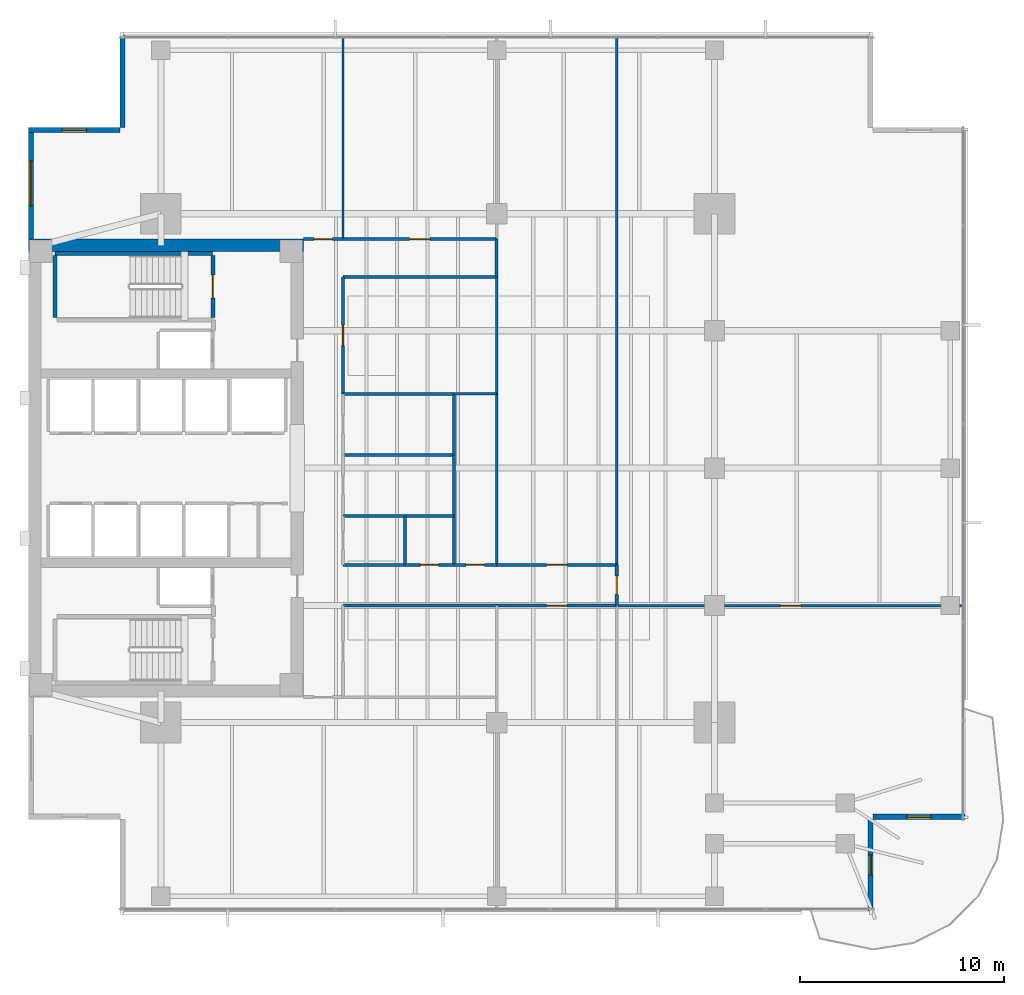
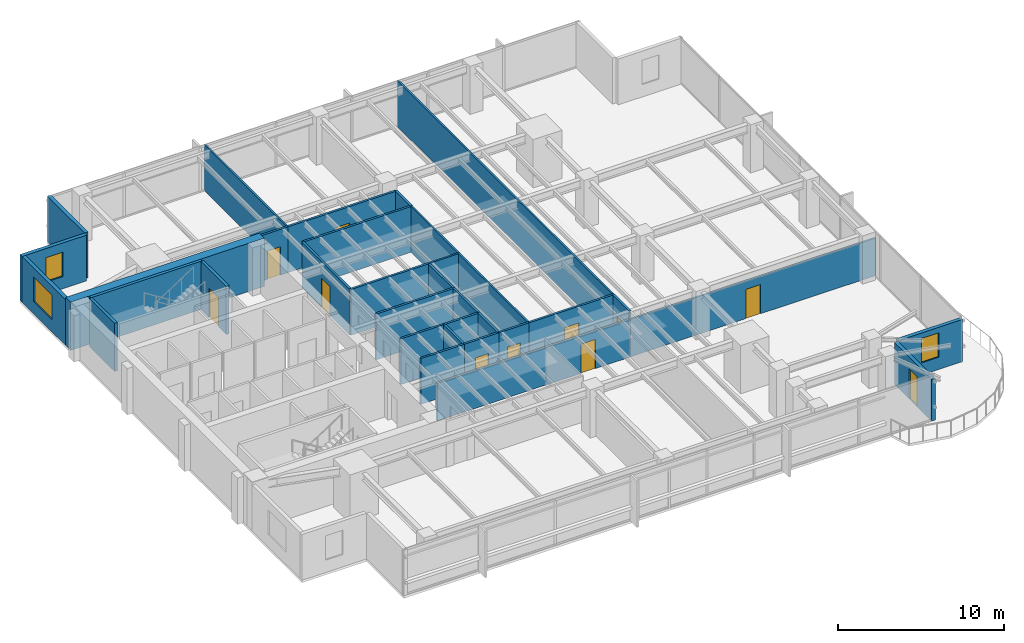
# One storey, part 9 of 14: 35 walls, 11 doors, 3 windows, 14 openings.
"""IFC4 building model written with IfcOpenShell, lengths in metres."""

from ifc_helpers import new_model, si_unit, direction, frame, frame_2d, origin, place, context, subcontext, project, spatial, rectangle, extrude, material, layer, layer_set, type_object, element, fill, save


model = new_model("IFC4")

# Units and contexts
model_context = context("Model", 3, precision=1e-05, world=origin(), true_north=direction((0.0, 1.0)))
body_context = subcontext(model_context, "Body", "Model", "MODEL_VIEW")
ifc_project = project(units=[si_unit("LENGTHUNIT", "METRE"), si_unit("AREAUNIT", "SQUARE_METRE"), si_unit("VOLUMEUNIT", "CUBIC_METRE"), si_unit("PLANEANGLEUNIT", "RADIAN"), si_unit("MASSUNIT", "GRAM", prefix="KILO")], contexts=[model_context])

# Site, building, storey
site_placement = place(None, origin())
site = spatial("IfcSite", under=ifc_project, at=site_placement, CompositionType="ELEMENT")
building_placement = place(site_placement, origin())
building = spatial("IfcBuilding", under=site, at=building_placement, Name="Kinhvarn Gate Tower", CompositionType="ELEMENT")
storey_placement = place(building_placement, frame((0.0, 0.0, 137.75)))
storey = spatial("IfcBuildingStorey", under=building, at=storey_placement, Name="L36", CompositionType="ELEMENT", Elevation=137.75)

# Wall
ifc_material_1 = material(Name="Concrete C60/75", Category="concrete")
ifc_layer_1 = layer(ifc_material_1, 0.60009765625)
ifc_layer_set_1 = layer_set([ifc_layer_1], Name="Concrete C60/75")
wall_type_1 = type_object("IfcWallType", Name="WL-CORE-600", PredefinedType="SHEAR", material=ifc_layer_set_1)
wall_1_placement = place(storey_placement, frame((4.5, 36.199951171875, 0.0), z_axis=(0.0, 0.0, 1.0), x_axis=(1.0, 0.0, 0.0)))
element("IfcWall", 1, at=wall_1_placement, inside=storey, type_object=wall_type_1, Name="Core North Shear Wall L36 600 mm", PredefinedType="SHEAR", context=body_context, shape_type="SweptSolid", body=[
    extrude(rectangle(XDim=13.5, YDim=0.60009765625, at=frame_2d((6.75, 0.0))), origin(), (0.0, 0.0, 1.0), 3.550048828125),
])

# Wall, opening, window
ifc_material_2 = material(Name="Fired architectural terracotta", Category="masonry")
ifc_layer_2 = layer(ifc_material_2, 0.25)
ifc_layer_set_2 = layer_set([ifc_layer_2], Name="Fired architectural terracotta")
wall_type_2 = type_object("IfcWallType", Name="WL-EXT-250", PredefinedType="SOLIDWALL", material=ifc_layer_set_2)
wall_2_placement = place(storey_placement, frame((4.625, 42.0, 0.0), z_axis=(0.0, 0.0, 1.0), x_axis=(0.0, -1.0, 0.0)))
wall_2 = element("IfcWall", 2, at=wall_2_placement, inside=storey, type_object=wall_type_2, Name="Exterior Solidwall Wall EW-250 (L36 West-North)", PredefinedType="SOLIDWALL", context=body_context, shape_type="SweptSolid", body=[
    extrude(rectangle(XDim=5.5, YDim=0.25, at=frame_2d((2.75, 0.0))), origin(), (0.0, 0.0, 1.0), 3.3701171875),
])
opening_1_placement = place(wall_2_placement, frame((1.64990234375, 0.0, 0.89990234375)))
opening_1 = element("IfcOpeningElement", 3, at=opening_1_placement, cuts=wall_2, Name="Opening WN-01", PredefinedType="OPENING", context=body_context, shape_type="SweptSolid", body=[
    extrude(rectangle(XDim=2.199951171875, YDim=1.800048828125, at=frame_2d((1.10009765625, 0.89990234375))), frame((0.0, 0.135009765625, 0.0), z_axis=(0.0, -1.0, 0.0), x_axis=(1.0, 0.0, 0.0)), (0.0, 0.0, 1.0), 0.27001953125),
])
ifc_material_3 = material(Name="Clear low-e double glazing", Category="glass")
window_type_1 = type_object("IfcWindowType", Name="WIN-RIB-2200", PartitioningType="SINGLE_PANEL", PredefinedType="WINDOW", material=ifc_material_3)
window_1_placement = place(opening_1_placement, origin())
window_1 = element("IfcWindow", 4, at=window_1_placement, inside=storey, type_object=window_type_1, Name="West Flank Double-Glazed Ribbon Window 2200x1800 mm (L36)", OverallHeight=1.800048828125, OverallWidth=2.199951171875, PartitioningType="SINGLE_PANEL", PredefinedType="WINDOW", context=body_context, shape_type="SweptSolid", body=[
    extrude(rectangle(XDim=2.199951171875, YDim=1.800048828125, at=frame_2d((1.10009765625, 0.89990234375))), frame((0.0, 0.030029296875, 0.0), z_axis=(0.0, -1.0, 0.0), x_axis=(1.0, 0.0, 0.0)), (0.0, 0.0, 1.0), 0.06005859375),
])
fill(opening_1, window_1)

# Wall, opening, door
wall_3_placement = place(storey_placement, frame((45.875, 3.5, 0.0), z_axis=(0.0, 0.0, 1.0), x_axis=(0.0, 1.0, 0.0)))
wall_3 = element("IfcWall", 5, at=wall_3_placement, inside=storey, type_object=wall_type_2, Name="Exterior Solidwall Wall EW-250 (L36 SE-Notch-Door)", PredefinedType="SOLIDWALL", context=body_context, shape_type="SweptSolid", body=[
    extrude(rectangle(XDim=4.5, YDim=0.25, at=frame_2d((2.25, 0.0))), origin(), (0.0, 0.0, 1.0), 3.070068359375),
])
opening_2_placement = place(wall_3_placement, frame((1.75, 0.0, 0.0)))
opening_2 = element("IfcOpeningElement", 6, at=opening_2_placement, cuts=wall_3, Name="Opening BD-01", PredefinedType="OPENING", context=body_context, shape_type="SweptSolid", body=[
    extrude(rectangle(XDim=1.0, YDim=2.199951171875, at=frame_2d((0.5, 1.10009765625))), frame((0.0, 0.135009765625, 0.0), z_axis=(0.0, -1.0, 0.0), x_axis=(1.0, 0.0, 0.0)), (0.0, 0.0, 1.0), 0.27001953125),
])
door_type_1 = type_object("IfcDoorType", Name="DR-BAL-1000", OperationType="NOTDEFINED", PredefinedType="DOOR", material=ifc_material_3)
door_1_placement = place(opening_2_placement, frame((1.0, 0.0, 0.0), z_axis=(0.0, 0.0, 1.0), x_axis=(-1.0, 0.0, 0.0)))
door_1 = element("IfcDoor", 7, at=door_1_placement, inside=storey, type_object=door_type_1, Name="S-Carve Balcony Door BD-01 (L36)", OperationType="SINGLE_SWING_LEFT", OverallHeight=2.199951171875, OverallWidth=1.0, PredefinedType="DOOR", context=body_context, shape_type="SweptSolid", body=[
    extrude(rectangle(XDim=1.0, YDim=2.199951171875, at=frame_2d((0.5, 1.10009765625))), frame((0.0, 0.02490234375, 0.0), z_axis=(0.0, -1.0, 0.0), x_axis=(1.0, 0.0, 0.0)), (0.0, 0.0, 1.0), 0.050048828125),
])
fill(opening_2, door_1)

# Wall, opening, window
wall_4_placement = place(storey_placement, frame((46.0, 8.125, 0.0), z_axis=(0.0, 0.0, 1.0), x_axis=(1.0, 0.0, 0.0)))
wall_4 = element("IfcWall", 8, at=wall_4_placement, inside=storey, type_object=wall_type_2, Name="Exterior Solidwall Wall EW-250 (L36 SE-Notch-Win)", PredefinedType="SOLIDWALL", context=body_context, shape_type="SweptSolid", body=[
    extrude(rectangle(XDim=4.5, YDim=0.25, at=frame_2d((2.25, 0.0))), origin(), (0.0, 0.0, 1.0), 3.10009765625),
])
opening_3_placement = place(wall_4_placement, frame((1.64990234375, 0.0, 0.89990234375)))
opening_3 = element("IfcOpeningElement", 9, at=opening_3_placement, cuts=wall_4, Name="Opening WN-02", PredefinedType="OPENING", context=body_context, shape_type="SweptSolid", body=[
    extrude(rectangle(XDim=1.199951171875, YDim=1.800048828125, at=frame_2d((0.60009765625, 0.89990234375))), frame((0.0, 0.135009765625, 0.0), z_axis=(0.0, -1.0, 0.0), x_axis=(1.0, 0.0, 0.0)), (0.0, 0.0, 1.0), 0.27001953125),
])
window_type_2 = type_object("IfcWindowType", Name="WIN-NTC-1200", PartitioningType="SINGLE_PANEL", PredefinedType="WINDOW", material=ifc_material_3)
window_2_placement = place(opening_3_placement, origin())
window_2 = element("IfcWindow", 10, at=window_2_placement, inside=storey, type_object=window_type_2, Name="Recessed Corner Notch Punched Window 1200x1800 mm (L36)", OverallHeight=1.800048828125, OverallWidth=1.199951171875, PartitioningType="SINGLE_PANEL", PredefinedType="WINDOW", context=body_context, shape_type="SweptSolid", body=[
    extrude(rectangle(XDim=1.199951171875, YDim=1.800048828125, at=frame_2d((0.60009765625, 0.89990234375))), frame((0.0, 0.030029296875, 0.0), z_axis=(0.0, -1.0, 0.0), x_axis=(1.0, 0.0, 0.0)), (0.0, 0.0, 1.0), 0.06005859375),
])
fill(opening_3, window_2)

# Wall
wall_5_placement = place(storey_placement, frame((9.125, 46.5, 0.0), z_axis=(0.0, 0.0, 1.0), x_axis=(0.0, -1.0, 0.0)))
element("IfcWall", 11, at=wall_5_placement, inside=storey, type_object=wall_type_2, Name="Exterior Solidwall Wall EW-250 (L36 NW-Notch-1)", PredefinedType="SOLIDWALL", context=body_context, shape_type="SweptSolid", body=[
    extrude(rectangle(XDim=4.5, YDim=0.25, at=frame_2d((2.25, 0.0))), origin(), (0.0, 0.0, 1.0), 3.3701171875),
])

# Wall, opening, window
wall_6_placement = place(storey_placement, frame((9.0, 41.875, 0.0), z_axis=(0.0, 0.0, 1.0), x_axis=(-1.0, 0.0, 0.0)))
wall_6 = element("IfcWall", 12, at=wall_6_placement, inside=storey, type_object=wall_type_2, Name="Exterior Solidwall Wall EW-250 (L36 NW-Notch-2)", PredefinedType="SOLIDWALL", context=body_context, shape_type="SweptSolid", body=[
    extrude(rectangle(XDim=4.5, YDim=0.25, at=frame_2d((2.25, 0.0))), origin(), (0.0, 0.0, 1.0), 3.3701171875),
])
opening_4_placement = place(wall_6_placement, frame((1.64990234375, 0.0, 0.89990234375)))
opening_4 = element("IfcOpeningElement", 13, at=opening_4_placement, cuts=wall_6, Name="Opening WN-02", PredefinedType="OPENING", context=body_context, shape_type="SweptSolid", body=[
    extrude(rectangle(XDim=1.199951171875, YDim=1.800048828125, at=frame_2d((0.60009765625, 0.89990234375))), frame((0.0, 0.135009765625, 0.0), z_axis=(0.0, -1.0, 0.0), x_axis=(1.0, 0.0, 0.0)), (0.0, 0.0, 1.0), 0.27001953125),
])
window_3_placement = place(opening_4_placement, origin())
window_3 = element("IfcWindow", 14, at=window_3_placement, inside=storey, type_object=window_type_2, Name="Recessed Corner Notch Punched Window 1200x1800 mm (L36)", OverallHeight=1.800048828125, OverallWidth=1.199951171875, PartitioningType="SINGLE_PANEL", PredefinedType="WINDOW", context=body_context, shape_type="SweptSolid", body=[
    extrude(rectangle(XDim=1.199951171875, YDim=1.800048828125, at=frame_2d((0.60009765625, 0.89990234375))), frame((0.0, 0.030029296875, 0.0), z_axis=(0.0, -1.0, 0.0), x_axis=(1.0, 0.0, 0.0)), (0.0, 0.0, 1.0), 0.06005859375),
])
fill(opening_4, window_3)

# Walls
ifc_material_4 = material(Name="Gypsum acoustic partition board")
ifc_layer_3 = layer(ifc_material_4, 0.14990234375)
ifc_layer_set_3 = layer_set([ifc_layer_3], Name="Gypsum acoustic partition board")
wall_type_3 = type_object("IfcWallType", Name="WL-PLM-150", PredefinedType="PLUMBINGWALL", material=ifc_layer_set_3)
wall_7_placement = place(storey_placement, frame((23.0, 20.5, 0.0), z_axis=(0.0, 0.0, 1.0), x_axis=(0.0, 1.0, 0.0)))
element("IfcWall", 15, at=wall_7_placement, inside=storey, type_object=wall_type_3, Name="Interior Partition PLW-150 (L36)", PredefinedType="PLUMBINGWALL", context=body_context, shape_type="SweptSolid", body=[
    extrude(rectangle(XDim=2.39990234375, YDim=0.14990234375, at=frame_2d((1.199951171875, 0.0))), origin(), (0.0, 0.0, 1.0), 3.3701171875),
])
wall_8_placement = place(storey_placement, frame((19.949951171875, 22.89990234375, 0.0), z_axis=(0.0, 0.0, 1.0), x_axis=(1.0, 0.0, 0.0)))
element("IfcWall", 16, at=wall_8_placement, inside=storey, type_object=wall_type_3, Name="Interior Partition PLW-150 (L36)", PredefinedType="PLUMBINGWALL", context=body_context, shape_type="SweptSolid", body=[
    extrude(rectangle(XDim=3.050048828125, YDim=0.14990234375, at=frame_2d((1.52490234375, 0.0))), origin(), (0.0, 0.0, 1.0), 3.3701171875),
])
for number, where, z_axis, x_axis, name in (
    (17, (23.0, 22.89990234375, 0.0), (0.0, 0.0, 1.0), (1.0, 0.0, 0.0), "Interior Partition PLW-150 (L36)"),
    (18, (25.39990234375, 20.5, 0.0), (0.0, 0.0, 1.0), (0.0, 1.0, 0.0), "Interior Partition PLW-150 (L36)"),
):
    element("IfcWall", number, at=place(storey_placement, frame(where, z_axis=z_axis, x_axis=x_axis)), inside=storey, type_object=wall_type_3, Name=name, PredefinedType="PLUMBINGWALL", context=body_context, shape_type="SweptSolid", body=[
        extrude(rectangle(XDim=2.39990234375, YDim=0.14990234375, at=frame_2d((1.199951171875, 0.0))), origin(), (0.0, 0.0, 1.0), 3.3701171875),
    ])
wall_9_placement = place(storey_placement, frame((19.949951171875, 25.89990234375, 0.0), z_axis=(0.0, 0.0, 1.0), x_axis=(1.0, 0.0, 0.0)))
element("IfcWall", 19, at=wall_9_placement, inside=storey, type_object=wall_type_3, Name="Interior Partition PLW-150 (L36)", PredefinedType="PLUMBINGWALL", context=body_context, shape_type="SweptSolid", body=[
    extrude(rectangle(XDim=5.449951171875, YDim=0.14990234375, at=frame_2d((2.72509765625, 0.0))), origin(), (0.0, 0.0, 1.0), 3.3701171875),
])
for number, where, z_axis, x_axis, name in (
    (20, (25.39990234375, 22.89990234375, 0.0), (0.0, 0.0, 1.0), (0.0, 1.0, 0.0), "Interior Partition PLW-150 (L36)"),
    (21, (25.39990234375, 25.89990234375, 0.0), (0.0, 0.0, 1.0), (0.0, 1.0, 0.0), "Interior Partition PLW-150 (L36)"),
):
    element("IfcWall", number, at=place(storey_placement, frame(where, z_axis=z_axis, x_axis=x_axis)), inside=storey, type_object=wall_type_3, Name=name, PredefinedType="PLUMBINGWALL", context=body_context, shape_type="SweptSolid", body=[
        extrude(rectangle(XDim=3.0, YDim=0.14990234375, at=frame_2d((1.5, 0.0))), origin(), (0.0, 0.0, 1.0), 3.3701171875),
    ])
wall_10_placement = place(storey_placement, frame((19.949951171875, 28.89990234375, 0.0), z_axis=(0.0, 0.0, 1.0), x_axis=(1.0, 0.0, 0.0)))
element("IfcWall", 22, at=wall_10_placement, inside=storey, type_object=wall_type_3, Name="Interior Partition PLW-150 (L36)", PredefinedType="PLUMBINGWALL", context=body_context, shape_type="SweptSolid", body=[
    extrude(rectangle(XDim=5.449951171875, YDim=0.14990234375, at=frame_2d((2.72509765625, 0.0))), origin(), (0.0, 0.0, 1.0), 3.3701171875),
])
ifc_layer_4 = layer(ifc_material_4, 0.14990234375)
ifc_layer_set_4 = layer_set([ifc_layer_4], Name="Gypsum acoustic partition board")
wall_type_4 = type_object("IfcWallType", Name="WL-PLM-150F", PredefinedType="PLUMBINGWALL", material=ifc_layer_set_4)
wall_11_placement = place(storey_placement, frame((19.949951171875, 20.5, 0.0), z_axis=(0.0, 0.0, 1.0), x_axis=(1.0, 0.0, 0.0)))
element("IfcWall", 23, at=wall_11_placement, inside=storey, type_object=wall_type_4, Name="Interior Partition PLW-150F (L36)", PredefinedType="PLUMBINGWALL", context=body_context, shape_type="SweptSolid", body=[
    extrude(rectangle(XDim=3.050048828125, YDim=0.14990234375, at=frame_2d((1.52490234375, 0.0))), origin(), (0.0, 0.0, 1.0), 3.3701171875),
])

# Wall, opening, door
wall_12_placement = place(storey_placement, frame((23.0, 20.5, 0.0), z_axis=(0.0, 0.0, 1.0), x_axis=(1.0, 0.0, 0.0)))
wall_12 = element("IfcWall", 24, at=wall_12_placement, inside=storey, type_object=wall_type_4, Name="Interior Partition PLW-150F (L36)", PredefinedType="PLUMBINGWALL", context=body_context, shape_type="SweptSolid", body=[
    extrude(rectangle(XDim=2.39990234375, YDim=0.14990234375, at=frame_2d((1.199951171875, 0.0))), origin(), (0.0, 0.0, 1.0), 3.3701171875),
])
opening_5_placement = place(wall_12_placement, frame((0.75, 0.0, 0.0)))
opening_5 = element("IfcOpeningElement", 25, at=opening_5_placement, cuts=wall_12, Name="Opening FD-04", PredefinedType="OPENING", context=body_context, shape_type="SweptSolid", body=[
    extrude(rectangle(XDim=0.89990234375, YDim=2.10009765625, at=frame_2d((0.449951171875, 1.050048828125))), frame((0.0, 0.0849609375, 0.0), z_axis=(0.0, -1.0, 0.0), x_axis=(1.0, 0.0, 0.0)), (0.0, 0.0, 1.0), 0.169921875),
])
ifc_material_5 = material(Name="Anodised aluminium AW-6063", Category="aluminium")
door_type_2 = type_object("IfcDoorType", Name="DR-FD-900", OperationType="NOTDEFINED", PredefinedType="DOOR", material=ifc_material_5)
door_2_placement = place(opening_5_placement, origin())
door_2 = element("IfcDoor", 26, at=door_2_placement, inside=storey, type_object=door_type_2, Name="Rated Riser & Service Closet Fire Door 900x2100 mm (L36)", OperationType="SINGLE_SWING_RIGHT", OverallHeight=2.10009765625, OverallWidth=0.89990234375, PredefinedType="DOOR", context=body_context, shape_type="SweptSolid", body=[
    extrude(rectangle(XDim=0.89990234375, YDim=2.10009765625, at=frame_2d((0.449951171875, 1.050048828125))), frame((0.0, 0.02490234375, 0.0), z_axis=(0.0, -1.0, 0.0), x_axis=(1.0, 0.0, 0.0)), (0.0, 0.0, 1.0), 0.050048828125),
])
fill(opening_5, door_2)

# Walls
ifc_layer_5 = layer(ifc_material_4, 0.1201171875)
ifc_layer_set_5 = layer_set([ifc_layer_5], Name="Gypsum acoustic partition board")
wall_type_5 = type_object("IfcWallType", Name="WL-PRT-120", PredefinedType="PARTITIONING", material=ifc_layer_set_5)
wall_13_placement = place(storey_placement, frame((25.39990234375, 28.89990234375, 0.0), z_axis=(0.0, 0.0, 1.0), x_axis=(1.0, 0.0, 0.0)))
element("IfcWall", 27, at=wall_13_placement, inside=storey, type_object=wall_type_5, Name="Interior Partition PW-120 (L36)", PredefinedType="PARTITIONING", context=body_context, shape_type="SweptSolid", body=[
    extrude(rectangle(XDim=2.10009765625, YDim=0.1201171875, at=frame_2d((1.050048828125, 0.0))), origin(), (0.0, 0.0, 1.0), 3.3701171875),
])
wall_14_placement = place(storey_placement, frame((27.5, 20.5, 0.0), z_axis=(0.0, 0.0, 1.0), x_axis=(0.0, 1.0, 0.0)))
element("IfcWall", 28, at=wall_14_placement, inside=storey, type_object=wall_type_5, Name="Interior Partition PW-120 (L36)", PredefinedType="PARTITIONING", context=body_context, shape_type="SweptSolid", body=[
    extrude(rectangle(XDim=8.39990234375, YDim=0.1201171875, at=frame_2d((4.199951171875, 0.0))), origin(), (0.0, 0.0, 1.0), 3.3701171875),
])
wall_15_placement = place(storey_placement, frame((27.5, 28.89990234375, 0.0), z_axis=(0.0, 0.0, 1.0), x_axis=(0.0, 1.0, 0.0)))
element("IfcWall", 29, at=wall_15_placement, inside=storey, type_object=wall_type_5, Name="Interior Partition PW-120 (L36)", PredefinedType="PARTITIONING", context=body_context, shape_type="SweptSolid", body=[
    extrude(rectangle(XDim=5.75, YDim=0.1201171875, at=frame_2d((2.875, 0.0))), origin(), (0.0, 0.0, 1.0), 3.3701171875),
])
wall_16_placement = place(storey_placement, frame((19.949951171875, 36.5, 0.0), z_axis=(0.0, 0.0, 1.0), x_axis=(0.0, 1.0, 0.0)))
element("IfcWall", 30, at=wall_16_placement, inside=storey, type_object=wall_type_5, Name="Interior Partition PW-120 (L36)", PredefinedType="PARTITIONING", context=body_context, shape_type="SweptSolid", body=[
    extrude(rectangle(XDim=9.989990234375, YDim=0.1201171875, at=frame_2d((4.9951171875, 0.0))), origin(), (0.0, 0.0, 1.0), 3.3701171875),
])
wall_17_placement = place(storey_placement, frame((33.39990234375, 20.5, 0.0), z_axis=(0.0, 0.0, 1.0), x_axis=(0.0, 1.0, 0.0)))
element("IfcWall", 31, at=wall_17_placement, inside=storey, type_object=wall_type_5, Name="Interior Partition PW-120 (L36)", PredefinedType="PARTITIONING", context=body_context, shape_type="SweptSolid", body=[
    extrude(rectangle(XDim=25.989990234375, YDim=0.1201171875, at=frame_2d((12.9951171875, 0.0))), origin(), (0.0, 0.0, 1.0), 3.3701171875),
])

# Wall, opening, door
wall_18_placement = place(storey_placement, frame((33.39990234375, 18.5, 0.0), z_axis=(0.0, 0.0, 1.0), x_axis=(1.0, 0.0, 0.0)))
wall_18 = element("IfcWall", 32, at=wall_18_placement, inside=storey, type_object=wall_type_5, Name="Interior Partition PW-120 (L36)", PredefinedType="PARTITIONING", context=body_context, shape_type="SweptSolid", body=[
    extrude(rectangle(XDim=17.090087890625, YDim=0.1201171875, at=frame_2d((8.544921875, 0.0))), origin(), (0.0, 0.0, 1.0), 2.77001953125),
])
opening_6_placement = place(wall_18_placement, frame((8.044921875, 0.0, 0.0)))
opening_6 = element("IfcOpeningElement", 33, at=opening_6_placement, cuts=wall_18, Name="Opening ID-02", PredefinedType="OPENING", context=body_context, shape_type="SweptSolid", body=[
    extrude(rectangle(XDim=1.0, YDim=2.14990234375, at=frame_2d((0.5, 1.074951171875))), frame((0.0, 0.070068359375, 0.0), z_axis=(0.0, -1.0, 0.0), x_axis=(1.0, 0.0, 0.0)), (0.0, 0.0, 1.0), 0.14013671875),
])
door_type_3 = type_object("IfcDoorType", Name="DR-INT-1000", OperationType="NOTDEFINED", PredefinedType="DOOR", material=ifc_material_5)
door_3_placement = place(opening_6_placement, origin())
door_3 = element("IfcDoor", 34, at=door_3_placement, inside=storey, type_object=door_type_3, Name="Standard Office & Meeting Room Door 1000x2150 mm (L36)", OperationType="SINGLE_SWING_RIGHT", OverallHeight=2.14990234375, OverallWidth=1.0, PredefinedType="DOOR", context=body_context, shape_type="SweptSolid", body=[
    extrude(rectangle(XDim=1.0, YDim=2.14990234375, at=frame_2d((0.5, 1.074951171875))), frame((0.0, 0.02490234375, 0.0), z_axis=(0.0, -1.0, 0.0), x_axis=(1.0, 0.0, 0.0)), (0.0, 0.0, 1.0), 0.050048828125),
])
fill(opening_6, door_3)

ifc_layer_6 = layer(ifc_material_4, 0.14990234375)
ifc_layer_set_6 = layer_set([ifc_layer_6], Name="Gypsum acoustic partition board")
wall_type_6 = type_object("IfcWallType", Name="WL-PRT-150F", PredefinedType="PARTITIONING", material=ifc_layer_set_6)
wall_19_placement = place(storey_placement, frame((19.949951171875, 28.89990234375, 0.0), z_axis=(0.0, 0.0, 1.0), x_axis=(0.0, 1.0, 0.0)))
wall_19 = element("IfcWall", 35, at=wall_19_placement, inside=storey, type_object=wall_type_6, Name="Interior Partition PW-150F (L36)", PredefinedType="PARTITIONING", context=body_context, shape_type="SweptSolid", body=[
    extrude(rectangle(XDim=5.75, YDim=0.14990234375, at=frame_2d((2.875, 0.0))), origin(), (0.0, 0.0, 1.0), 3.3701171875),
])
opening_7_placement = place(wall_19_placement, frame((2.375, 0.0, 0.0)))
opening_7 = element("IfcOpeningElement", 36, at=opening_7_placement, cuts=wall_19, Name="Opening ID-02", PredefinedType="OPENING", context=body_context, shape_type="SweptSolid", body=[
    extrude(rectangle(XDim=1.0, YDim=2.14990234375, at=frame_2d((0.5, 1.074951171875))), frame((0.0, 0.0849609375, 0.0), z_axis=(0.0, -1.0, 0.0), x_axis=(1.0, 0.0, 0.0)), (0.0, 0.0, 1.0), 0.169921875),
])
door_4_placement = place(opening_7_placement, origin())
door_4 = element("IfcDoor", 37, at=door_4_placement, inside=storey, type_object=door_type_3, Name="Standard Office & Meeting Room Door 1000x2150 mm (L36)", OperationType="SINGLE_SWING_RIGHT", OverallHeight=2.14990234375, OverallWidth=1.0, PredefinedType="DOOR", context=body_context, shape_type="SweptSolid", body=[
    extrude(rectangle(XDim=1.0, YDim=2.14990234375, at=frame_2d((0.5, 1.074951171875))), frame((0.0, 0.02490234375, 0.0), z_axis=(0.0, -1.0, 0.0), x_axis=(1.0, 0.0, 0.0)), (0.0, 0.0, 1.0), 0.050048828125),
])
fill(opening_7, door_4)

wall_20_placement = place(storey_placement, frame((18.0, 36.5, 0.0), z_axis=(0.0, 0.0, 1.0), x_axis=(1.0, 0.0, 0.0)))
wall_20 = element("IfcWall", 38, at=wall_20_placement, inside=storey, type_object=wall_type_6, Name="Interior Partition PW-150F (L36)", PredefinedType="PARTITIONING", context=body_context, shape_type="SweptSolid", body=[
    extrude(rectangle(XDim=1.949951171875, YDim=0.14990234375, at=frame_2d((0.97509765625, 0.0))), origin(), (0.0, 0.0, 1.0), 3.3701171875),
])
opening_8_placement = place(wall_20_placement, frame((0.52490234375, 0.0, 0.0)))
opening_8 = element("IfcOpeningElement", 39, at=opening_8_placement, cuts=wall_20, Name="Opening ID-03", PredefinedType="OPENING", context=body_context, shape_type="SweptSolid", body=[
    extrude(rectangle(XDim=0.89990234375, YDim=2.10009765625, at=frame_2d((0.449951171875, 1.050048828125))), frame((0.0, 0.0849609375, 0.0), z_axis=(0.0, -1.0, 0.0), x_axis=(1.0, 0.0, 0.0)), (0.0, 0.0, 1.0), 0.169921875),
])
door_type_4 = type_object("IfcDoorType", Name="DR-INT-900", OperationType="NOTDEFINED", PredefinedType="DOOR", material=ifc_material_5)
door_5_placement = place(opening_8_placement, origin())
door_5 = element("IfcDoor", 40, at=door_5_placement, inside=storey, type_object=door_type_4, Name="Cellular Office & Restroom Door 900x2100 mm (L36)", OperationType="SINGLE_SWING_LEFT", OverallHeight=2.10009765625, OverallWidth=0.89990234375, PredefinedType="DOOR", context=body_context, shape_type="SweptSolid", body=[
    extrude(rectangle(XDim=0.89990234375, YDim=2.10009765625, at=frame_2d((0.449951171875, 1.050048828125))), frame((0.0, 0.02490234375, 0.0), z_axis=(0.0, -1.0, 0.0), x_axis=(1.0, 0.0, 0.0)), (0.0, 0.0, 1.0), 0.050048828125),
])
fill(opening_8, door_5)

wall_21_placement = place(storey_placement, frame((25.39990234375, 20.5, 0.0), z_axis=(0.0, 0.0, 1.0), x_axis=(1.0, 0.0, 0.0)))
wall_21 = element("IfcWall", 41, at=wall_21_placement, inside=storey, type_object=wall_type_6, Name="Interior Partition PW-150F (L36)", PredefinedType="PARTITIONING", context=body_context, shape_type="SweptSolid", body=[
    extrude(rectangle(XDim=2.10009765625, YDim=0.14990234375, at=frame_2d((1.050048828125, 0.0))), origin(), (0.0, 0.0, 1.0), 3.3701171875),
])
opening_9_placement = place(wall_21_placement, frame((0.60009765625, 0.0, 0.0)))
opening_9 = element("IfcOpeningElement", 42, at=opening_9_placement, cuts=wall_21, Name="Opening ID-03", PredefinedType="OPENING", context=body_context, shape_type="SweptSolid", body=[
    extrude(rectangle(XDim=0.89990234375, YDim=2.10009765625, at=frame_2d((0.449951171875, 1.050048828125))), frame((0.0, 0.0849609375, 0.0), z_axis=(0.0, -1.0, 0.0), x_axis=(1.0, 0.0, 0.0)), (0.0, 0.0, 1.0), 0.169921875),
])
door_6_placement = place(opening_9_placement, origin())
door_6 = element("IfcDoor", 43, at=door_6_placement, inside=storey, type_object=door_type_4, Name="Cellular Office & Restroom Door 900x2100 mm (L36)", OperationType="SINGLE_SWING_LEFT", OverallHeight=2.10009765625, OverallWidth=0.89990234375, PredefinedType="DOOR", context=body_context, shape_type="SweptSolid", body=[
    extrude(rectangle(XDim=0.89990234375, YDim=2.10009765625, at=frame_2d((0.449951171875, 1.050048828125))), frame((0.0, 0.02490234375, 0.0), z_axis=(0.0, -1.0, 0.0), x_axis=(1.0, 0.0, 0.0)), (0.0, 0.0, 1.0), 0.050048828125),
])
fill(opening_9, door_6)

# Wall
wall_22_placement = place(storey_placement, frame((19.949951171875, 18.5, 0.0), z_axis=(0.0, 0.0, 1.0), x_axis=(1.0, 0.0, 0.0)))
element("IfcWall", 44, at=wall_22_placement, inside=storey, type_object=wall_type_6, Name="Interior Partition PW-150F (L36)", PredefinedType="PARTITIONING", context=body_context, shape_type="SweptSolid", body=[
    extrude(rectangle(XDim=7.550048828125, YDim=0.14990234375, at=frame_2d((3.77490234375, 0.0))), origin(), (0.0, 0.0, 1.0), 2.77001953125),
])

# Wall, opening, door
wall_23_placement = place(storey_placement, frame((27.5, 18.5, 0.0), z_axis=(0.0, 0.0, 1.0), x_axis=(1.0, 0.0, 0.0)))
wall_23 = element("IfcWall", 45, at=wall_23_placement, inside=storey, type_object=wall_type_6, Name="Interior Partition PW-150F (L36)", PredefinedType="PARTITIONING", context=body_context, shape_type="SweptSolid", body=[
    extrude(rectangle(XDim=5.89990234375, YDim=0.14990234375, at=frame_2d((2.949951171875, 0.0))), origin(), (0.0, 0.0, 1.0), 2.77001953125),
])
opening_10_placement = place(wall_23_placement, frame((2.449951171875, 0.0, 0.0)))
opening_10 = element("IfcOpeningElement", 46, at=opening_10_placement, cuts=wall_23, Name="Opening ID-02", PredefinedType="OPENING", context=body_context, shape_type="SweptSolid", body=[
    extrude(rectangle(XDim=1.0, YDim=2.14990234375, at=frame_2d((0.5, 1.074951171875))), frame((0.0, 0.0849609375, 0.0), z_axis=(0.0, -1.0, 0.0), x_axis=(1.0, 0.0, 0.0)), (0.0, 0.0, 1.0), 0.169921875),
])
door_7_placement = place(opening_10_placement, origin())
door_7 = element("IfcDoor", 47, at=door_7_placement, inside=storey, type_object=door_type_3, Name="Standard Office & Meeting Room Door 1000x2150 mm (L36)", OperationType="SINGLE_SWING_RIGHT", OverallHeight=2.14990234375, OverallWidth=1.0, PredefinedType="DOOR", context=body_context, shape_type="SweptSolid", body=[
    extrude(rectangle(XDim=1.0, YDim=2.14990234375, at=frame_2d((0.5, 1.074951171875))), frame((0.0, 0.02490234375, 0.0), z_axis=(0.0, -1.0, 0.0), x_axis=(1.0, 0.0, 0.0)), (0.0, 0.0, 1.0), 0.050048828125),
])
fill(opening_10, door_7)

wall_24_placement = place(storey_placement, frame((27.5, 20.5, 0.0), z_axis=(0.0, 0.0, 1.0), x_axis=(1.0, 0.0, 0.0)))
wall_24 = element("IfcWall", 48, at=wall_24_placement, inside=storey, type_object=wall_type_6, Name="Interior Partition PW-150F (L36)", PredefinedType="PARTITIONING", context=body_context, shape_type="SweptSolid", body=[
    extrude(rectangle(XDim=5.89990234375, YDim=0.14990234375, at=frame_2d((2.949951171875, 0.0))), origin(), (0.0, 0.0, 1.0), 3.3701171875),
])
opening_11_placement = place(wall_24_placement, frame((2.449951171875, 0.0, 0.0)))
opening_11 = element("IfcOpeningElement", 49, at=opening_11_placement, cuts=wall_24, Name="Opening ID-02", PredefinedType="OPENING", context=body_context, shape_type="SweptSolid", body=[
    extrude(rectangle(XDim=1.0, YDim=2.14990234375, at=frame_2d((0.5, 1.074951171875))), frame((0.0, 0.0849609375, 0.0), z_axis=(0.0, -1.0, 0.0), x_axis=(1.0, 0.0, 0.0)), (0.0, 0.0, 1.0), 0.169921875),
])
door_8_placement = place(opening_11_placement, origin())
door_8 = element("IfcDoor", 50, at=door_8_placement, inside=storey, type_object=door_type_3, Name="Standard Office & Meeting Room Door 1000x2150 mm (L36)", OperationType="SINGLE_SWING_LEFT", OverallHeight=2.14990234375, OverallWidth=1.0, PredefinedType="DOOR", context=body_context, shape_type="SweptSolid", body=[
    extrude(rectangle(XDim=1.0, YDim=2.14990234375, at=frame_2d((0.5, 1.074951171875))), frame((0.0, 0.02490234375, 0.0), z_axis=(0.0, -1.0, 0.0), x_axis=(1.0, 0.0, 0.0)), (0.0, 0.0, 1.0), 0.050048828125),
])
fill(opening_11, door_8)

wall_25_placement = place(storey_placement, frame((33.39990234375, 18.5, 0.0), z_axis=(0.0, 0.0, 1.0), x_axis=(0.0, 1.0, 0.0)))
wall_25 = element("IfcWall", 51, at=wall_25_placement, inside=storey, type_object=wall_type_6, Name="Interior Partition PW-150F (L36)", PredefinedType="PARTITIONING", context=body_context, shape_type="SweptSolid", body=[
    extrude(rectangle(XDim=2.0, YDim=0.14990234375, at=frame_2d((1.0, 0.0))), origin(), (0.0, 0.0, 1.0), 3.3701171875),
])
opening_12_placement = place(wall_25_placement, frame((0.550048828125, 0.0, 0.0)))
opening_12 = element("IfcOpeningElement", 52, at=opening_12_placement, cuts=wall_25, Name="Opening ID-03", PredefinedType="OPENING", context=body_context, shape_type="SweptSolid", body=[
    extrude(rectangle(XDim=0.89990234375, YDim=2.10009765625, at=frame_2d((0.449951171875, 1.050048828125))), frame((0.0, 0.0849609375, 0.0), z_axis=(0.0, -1.0, 0.0), x_axis=(1.0, 0.0, 0.0)), (0.0, 0.0, 1.0), 0.169921875),
])
door_9_placement = place(opening_12_placement, origin())
door_9 = element("IfcDoor", 53, at=door_9_placement, inside=storey, type_object=door_type_4, Name="Cellular Office & Restroom Door 900x2100 mm (L36)", OperationType="SINGLE_SWING_RIGHT", OverallHeight=2.10009765625, OverallWidth=0.89990234375, PredefinedType="DOOR", context=body_context, shape_type="SweptSolid", body=[
    extrude(rectangle(XDim=0.89990234375, YDim=2.10009765625, at=frame_2d((0.449951171875, 1.050048828125))), frame((0.0, 0.02490234375, 0.0), z_axis=(0.0, -1.0, 0.0), x_axis=(1.0, 0.0, 0.0)), (0.0, 0.0, 1.0), 0.050048828125),
])
fill(opening_12, door_9)

# Wall
wall_26_placement = place(storey_placement, frame((19.949951171875, 34.64990234375, 0.0), z_axis=(0.0, 0.0, 1.0), x_axis=(1.0, 0.0, 0.0)))
element("IfcWall", 54, at=wall_26_placement, inside=storey, type_object=wall_type_6, Name="Interior Partition PW-150F (L36)", PredefinedType="PARTITIONING", context=body_context, shape_type="SweptSolid", body=[
    extrude(rectangle(XDim=7.550048828125, YDim=0.14990234375, at=frame_2d((3.77490234375, 0.0))), origin(), (0.0, 0.0, 1.0), 3.3701171875),
])

# Wall, opening, door
wall_27_placement = place(storey_placement, frame((19.949951171875, 36.5, 0.0), z_axis=(0.0, 0.0, 1.0), x_axis=(1.0, 0.0, 0.0)))
wall_27 = element("IfcWall", 55, at=wall_27_placement, inside=storey, type_object=wall_type_6, Name="Interior Partition PW-150F (L36)", PredefinedType="PARTITIONING", context=body_context, shape_type="SweptSolid", body=[
    extrude(rectangle(XDim=7.550048828125, YDim=0.14990234375, at=frame_2d((3.77490234375, 0.0))), origin(), (0.0, 0.0, 1.0), 3.3701171875),
])
opening_13_placement = place(wall_27_placement, frame((3.27490234375, 0.0, 0.0)))
opening_13 = element("IfcOpeningElement", 56, at=opening_13_placement, cuts=wall_27, Name="Opening ID-02", PredefinedType="OPENING", context=body_context, shape_type="SweptSolid", body=[
    extrude(rectangle(XDim=1.0, YDim=2.14990234375, at=frame_2d((0.5, 1.074951171875))), frame((0.0, 0.0849609375, 0.0), z_axis=(0.0, -1.0, 0.0), x_axis=(1.0, 0.0, 0.0)), (0.0, 0.0, 1.0), 0.169921875),
])
door_10_placement = place(opening_13_placement, origin())
door_10 = element("IfcDoor", 57, at=door_10_placement, inside=storey, type_object=door_type_3, Name="Standard Office & Meeting Room Door 1000x2150 mm (L36)", OperationType="SINGLE_SWING_LEFT", OverallHeight=2.14990234375, OverallWidth=1.0, PredefinedType="DOOR", context=body_context, shape_type="SweptSolid", body=[
    extrude(rectangle(XDim=1.0, YDim=2.14990234375, at=frame_2d((0.5, 1.074951171875))), frame((0.0, 0.02490234375, 0.0), z_axis=(0.0, -1.0, 0.0), x_axis=(1.0, 0.0, 0.0)), (0.0, 0.0, 1.0), 0.050048828125),
])
fill(opening_13, door_10)

# Walls
wall_28_placement = place(storey_placement, frame((27.5, 34.64990234375, 0.0), z_axis=(0.0, 0.0, 1.0), x_axis=(0.0, 1.0, 0.0)))
element("IfcWall", 58, at=wall_28_placement, inside=storey, type_object=wall_type_6, Name="Interior Partition PW-150F (L36)", PredefinedType="PARTITIONING", context=body_context, shape_type="SweptSolid", body=[
    extrude(rectangle(XDim=1.85009765625, YDim=0.14990234375, at=frame_2d((0.925048828125, 0.0))), origin(), (0.0, 0.0, 1.0), 3.3701171875),
])
ifc_material_6 = material(Name="Concrete C40/50", Category="concrete")
ifc_layer_7 = layer(ifc_material_6, 0.199951171875)
ifc_layer_set_7 = layer_set([ifc_layer_7], Name="Concrete C40/50")
wall_type_7 = type_object("IfcWallType", Name="WL-SHF-200", PredefinedType="SOLIDWALL", material=ifc_layer_set_7)
wall_29_placement = place(storey_placement, frame((5.800048828125, 35.800048828125, 0.0), z_axis=(0.0, 0.0, 1.0), x_axis=(1.0, 0.0, 0.0)))
element("IfcWall", 59, at=wall_29_placement, inside=storey, type_object=wall_type_7, Name="Stair ST2 North Shaft Wall (L36)", PredefinedType="SOLIDWALL", context=body_context, shape_type="SweptSolid", body=[
    extrude(rectangle(XDim=7.75, YDim=0.199951171875, at=frame_2d((3.875, 0.0))), origin(), (0.0, 0.0, 1.0), 3.550048828125),
])
wall_30_placement = place(storey_placement, frame((5.7900390625, 32.64990234375, 0.0), z_axis=(0.0, 0.0, 1.0), x_axis=(0.0, 1.0, 0.0)))
element("IfcWall", 60, at=wall_30_placement, inside=storey, type_object=wall_type_7, Name="Stair ST2 West Shaft Wall (L36)", PredefinedType="SOLIDWALL", context=body_context, shape_type="SweptSolid", body=[
    extrude(rectangle(XDim=3.050048828125, YDim=0.199951171875, at=frame_2d((1.52490234375, 0.0))), origin(), (0.0, 0.0, 1.0), 3.550048828125),
])

# Wall, opening, door
wall_31_placement = place(storey_placement, frame((13.56005859375, 32.64990234375, 0.0), z_axis=(0.0, 0.0, 1.0), x_axis=(0.0, 1.0, 0.0)))
wall_31 = element("IfcWall", 61, at=wall_31_placement, inside=storey, type_object=wall_type_7, Name="Stair ST2 East Entry Wall (L36)", PredefinedType="SOLIDWALL", context=body_context, shape_type="SweptSolid", body=[
    extrude(rectangle(XDim=3.050048828125, YDim=0.199951171875, at=frame_2d((1.52490234375, 0.0))), origin(), (0.0, 0.0, 1.0), 3.550048828125),
])
opening_14_placement = place(wall_31_placement, frame((0.949951171875, 0.0, 0.0)))
opening_14 = element("IfcOpeningElement", 62, at=opening_14_placement, cuts=wall_31, Name="Opening FD-01", PredefinedType="OPENING", context=body_context, shape_type="SweptSolid", body=[
    extrude(rectangle(XDim=1.14990234375, YDim=2.14990234375, at=frame_2d((0.574951171875, 1.074951171875))), frame((0.0, 0.10986328125, 0.0), z_axis=(0.0, -1.0, 0.0), x_axis=(1.0, 0.0, 0.0)), (0.0, 0.0, 1.0), 0.219970703125),
])
door_type_5 = type_object("IfcDoorType", Name="DR-ST-1150", OperationType="NOTDEFINED", PredefinedType="DOOR", material=ifc_material_5)
door_11_placement = place(opening_14_placement, origin())
door_11 = element("IfcDoor", 63, at=door_11_placement, inside=storey, type_object=door_type_5, Name="Exit Stair ST2 Fire Door (L36)", OperationType="SINGLE_SWING_LEFT", OverallHeight=2.14990234375, OverallWidth=1.14990234375, PredefinedType="DOOR", context=body_context, shape_type="SweptSolid", body=[
    extrude(rectangle(XDim=1.14990234375, YDim=2.14990234375, at=frame_2d((0.574951171875, 1.074951171875))), frame((0.0, 0.02490234375, 0.0), z_axis=(0.0, -1.0, 0.0), x_axis=(1.0, 0.0, 0.0)), (0.0, 0.0, 1.0), 0.050048828125),
])
fill(opening_14, door_11)

save(model, "model.ifc")
